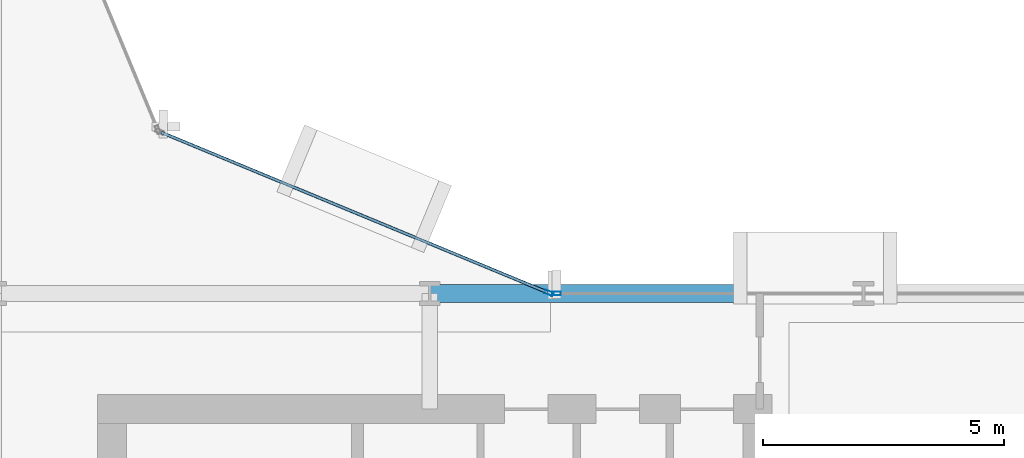
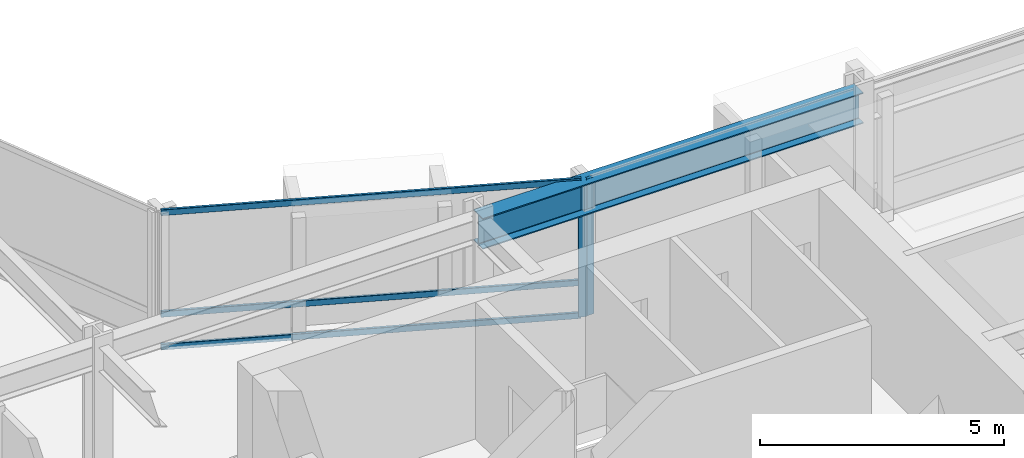
# One storey, part 15 of 34: 5 members, 1 beam, 2 elements without a shape of their own.
"""IFC4 building model written with IfcOpenShell, lengths in metres."""

from ifc_helpers import new_model, si_unit, direction, frame, origin, origin_2d, place, context, subcontext, project, spatial, hollow_rectangle, i_section, extrude, material, layer, layer_set, material_profile, profile_set, type_object, element, aggregate, save


model = new_model("IFC4")

# Units and contexts
model_context = context("Model", 3, precision=1e-05, world=origin(), true_north=direction((0.0, 1.0)))
body_context = subcontext(model_context, "Body", "Model", "MODEL_VIEW")
ifc_project = project(units=[si_unit("LENGTHUNIT", "METRE"), si_unit("AREAUNIT", "SQUARE_METRE"), si_unit("VOLUMEUNIT", "CUBIC_METRE"), si_unit("PLANEANGLEUNIT", "RADIAN"), si_unit("MASSUNIT", "GRAM", prefix="KILO")], contexts=[model_context])

# Site, building, storey
site_placement = place(None, origin())
site = spatial("IfcSite", under=ifc_project, at=site_placement, CompositionType="ELEMENT")
building_placement = place(site_placement, origin())
building = spatial("IfcBuilding", under=site, at=building_placement, Name="Solvaryn Broadcast Tower", CompositionType="ELEMENT")
storey_placement = place(building_placement, frame((0.0, 0.0, 36.0)))
storey = spatial("IfcBuildingStorey", under=building, at=storey_placement, Name="L07", CompositionType="ELEMENT", Elevation=36.0)

# Beam
ifc_material_1 = material(Name="Steel ASTM A992 Grade 50", Category="steel")
ifc_material_profile_1 = material_profile(ifc_material_1, i_section(OverallWidth=0.381103515625, OverallDepth=0.77294921875, WebThickness=0.0166015625, FlangeThickness=0.027099609375, FilletRadius=0.01806640625, at=origin_2d()))
ifc_profile_set_1 = profile_set([ifc_material_profile_1], Name="Steel ASTM A992 Grade 50")
beam_type = type_object("IfcBeamType", Name="BM-SP1-W30X173", PredefinedType="USERDEFINED", material=ifc_profile_set_1)
beam_placement = place(storey_placement, frame((36.0, 27.0, 3.033447265625), z_axis=(1.0, 0.0, 0.0), x_axis=(0.0, 1.0, 0.0)))
element("IfcBeam", 1, at=beam_placement, inside=storey, type_object=beam_type, Name="L07 Spandrel Beam X (36-45 @ Y=27)", ObjectType="SPANDREL", PredefinedType="USERDEFINED", context=body_context, shape_type="SweptSolid", body=[
    extrude(i_section(OverallWidth=0.381103515625, OverallDepth=0.77294921875, WebThickness=0.0166015625, FlangeThickness=0.027099609375, FilletRadius=0.01806640625, at=origin_2d()), origin(), (0.0, 0.0, 1.0), 9.0),
])

# Curtain wall, member
ifc_material_2 = material(Name="Aluminium and Terracotta Unitised Curtain Wall", Category="masonry")
ifc_layer = layer(ifc_material_2, 0.199951171875)
ifc_layer_set = layer_set([ifc_layer], Name="CW-SYS2-LOWMID")
curtain_wall_type = type_object("IfcCurtainWallType", Name="CW-SYS2-LOWMID", PredefinedType="NOTDEFINED", material=ifc_layer_set)
curtain_wall_1_placement = place(storey_placement, origin())
curtain_wall_1 = element("IfcCurtainWall", 2, at=curtain_wall_1_placement, inside=storey, type_object=curtain_wall_type, Name="L07 Curtain Wall CN1", PredefinedType="NOTDEFINED")
ifc_material_3 = material(Name="Anodised Aluminium 6063-T6", Category="aluminium")
ifc_material_profile_2 = material_profile(ifc_material_3, hollow_rectangle(XDim=0.074951171875, YDim=0.179931640625, WallThickness=0.00390625, InnerFilletRadius=0.00390625, OuterFilletRadius=0.008056640625, at=origin_2d()))
ifc_profile_set_2 = profile_set([ifc_material_profile_2], Name="Anodised Aluminium 6063-T6")
member_type_1 = type_object("IfcMemberType", Name="CW-MUL-180", PredefinedType="MULLION", material=ifc_profile_set_2)
member_1_placement = place(storey_placement, frame((38.47216796875, 27.011474609375, 0.0), z_axis=(0.0, 0.0, 1.0), x_axis=(-0.382646127145, -0.923894983957, 0.0)))
member_1 = element("IfcMember", 3, at=member_1_placement, type_object=member_type_1, Name="CWS2 mullion 1", PredefinedType="MULLION", context=body_context, shape_type="SweptSolid", body=[
    extrude(hollow_rectangle(XDim=0.074951171875, YDim=0.179931640625, WallThickness=0.00390625, InnerFilletRadius=0.00390625, OuterFilletRadius=0.008056640625, at=origin_2d()), origin(), (0.0, 0.0, 1.0), 3.419921875),
])

curtain_wall_2_placement = place(storey_placement, origin())
curtain_wall_2 = element("IfcCurtainWall", 4, at=curtain_wall_2_placement, inside=storey, type_object=curtain_wall_type, Name="L07 Curtain Wall IH", PredefinedType="NOTDEFINED")
member_2_placement = place(storey_placement, frame((38.6298828125, 27.0, 0.0), z_axis=(0.0, 0.0, 1.0), x_axis=(0.0, 1.0, 0.0)))
member_2 = element("IfcMember", 5, at=member_2_placement, type_object=member_type_1, Name="CWS2 mullion 1", PredefinedType="MULLION", context=body_context, shape_type="SweptSolid", body=[
    extrude(hollow_rectangle(XDim=0.074951171875, YDim=0.179931640625, WallThickness=0.00390625, InnerFilletRadius=0.00390625, OuterFilletRadius=0.008056640625, at=origin_2d()), origin(), (0.0, 0.0, 1.0), 3.419921875),
])
aggregate(curtain_wall_2, [member_2])

# Member
ifc_material_4 = material(Name="Anodised Aluminium 6063-T6", Category="aluminium")
ifc_material_profile_3 = material_profile(ifc_material_4, hollow_rectangle(XDim=0.06494140625, YDim=0.14990234375, WallThickness=0.00390625, InnerFilletRadius=0.00390625, OuterFilletRadius=0.008056640625, at=origin_2d()))
ifc_profile_set_3 = profile_set([ifc_material_profile_3], Name="Anodised Aluminium 6063-T6")
member_type_2 = type_object("IfcMemberType", Name="CW-TRN-150", PredefinedType="USERDEFINED", material=ifc_profile_set_3)
member_3_placement = place(storey_placement, frame((38.444580078125, 27.02294921875, 0.030029296875), z_axis=(-0.923899282177, 0.382635748975, 0.0), x_axis=(-0.382635748975, -0.923899282177, 0.0)))
member_3 = element("IfcMember", 6, at=member_3_placement, type_object=member_type_2, Name="CWS2 transom 1.1", ObjectType="TRANSOM", PredefinedType="USERDEFINED", context=body_context, shape_type="SweptSolid", body=[
    extrude(hollow_rectangle(XDim=0.06494140625, YDim=0.14990234375, WallThickness=0.00390625, InnerFilletRadius=0.00390625, OuterFilletRadius=0.008056640625, at=origin_2d()), origin(), (0.0, 0.0, 1.0), 8.681884765625),
])

member_4_placement = place(storey_placement, frame((38.444580078125, 27.02294921875, 0.85009765625), z_axis=(-0.923899282177, 0.382635748975, 0.0), x_axis=(-0.382635748975, -0.923899282177, 0.0)))
member_4 = element("IfcMember", 7, at=member_4_placement, type_object=member_type_2, Name="CWS2 transom 1.2", ObjectType="TRANSOM", PredefinedType="USERDEFINED", context=body_context, shape_type="SweptSolid", body=[
    extrude(hollow_rectangle(XDim=0.06494140625, YDim=0.14990234375, WallThickness=0.00390625, InnerFilletRadius=0.00390625, OuterFilletRadius=0.008056640625, at=origin_2d()), origin(), (0.0, 0.0, 1.0), 8.681884765625),
])

member_5_placement = place(storey_placement, frame((38.444580078125, 27.02294921875, 3.389892578125), z_axis=(-0.923899282177, 0.382635748975, 0.0), x_axis=(-0.382635748975, -0.923899282177, 0.0)))
member_5 = element("IfcMember", 8, at=member_5_placement, type_object=member_type_2, Name="CWS2 transom 1.3", ObjectType="TRANSOM", PredefinedType="USERDEFINED", context=body_context, shape_type="SweptSolid", body=[
    extrude(hollow_rectangle(XDim=0.06494140625, YDim=0.14990234375, WallThickness=0.00390625, InnerFilletRadius=0.00390625, OuterFilletRadius=0.008056640625, at=origin_2d()), origin(), (0.0, 0.0, 1.0), 8.681884765625),
])

aggregate(curtain_wall_1, [member_1, member_3, member_4, member_5])

save(model, "model.ifc")
